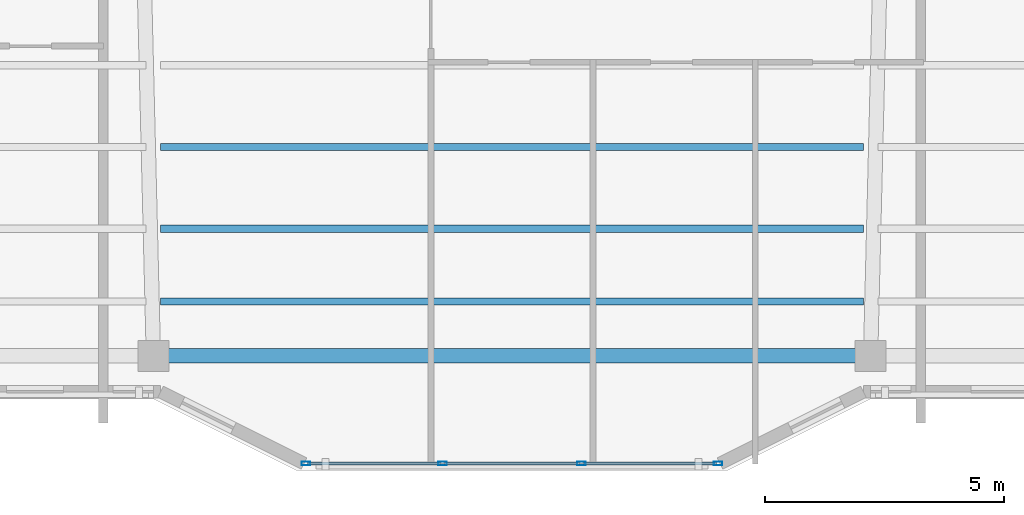
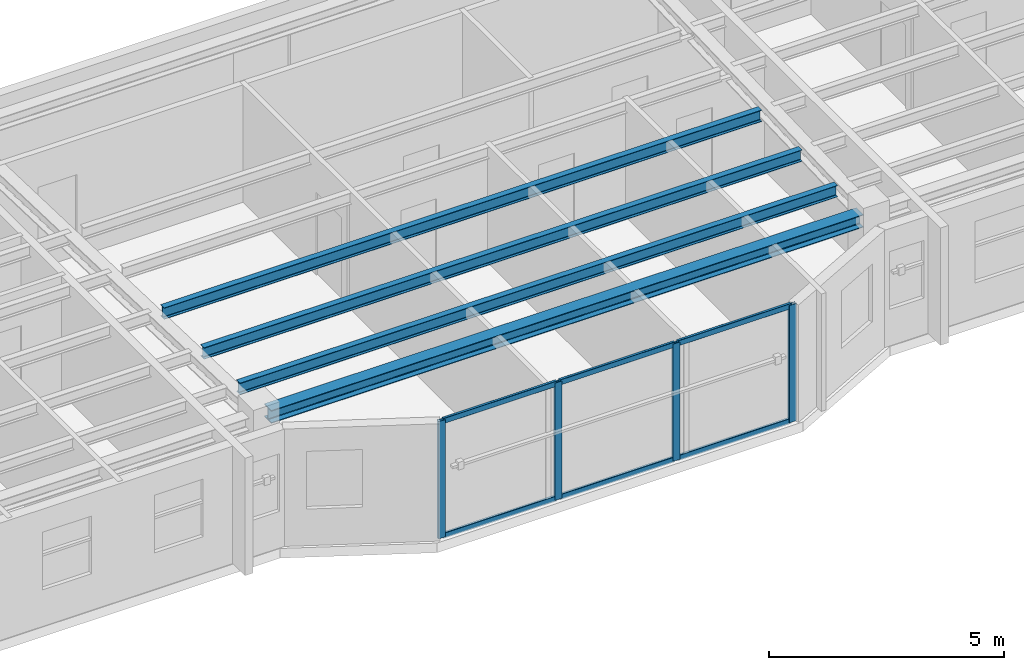
# One storey, part 2 of 15: 10 members, 4 beams, 1 element without a shape of its own.
"""IFC4 building model written with IfcOpenShell, lengths in metres."""

from ifc_helpers import new_model, si_unit, direction, frame, origin, origin_2d, place, context, subcontext, project, spatial, hollow_rectangle, i_section, extrude, material, layer, layer_set, material_profile, profile_set, type_object, element, aggregate, save


model = new_model("IFC4")

# Units and contexts
model_context = context("Model", 3, precision=1e-05, world=origin(), true_north=direction((0.0, 1.0)))
body_context = subcontext(model_context, "Body", "Model", "MODEL_VIEW")
ifc_project = project(units=[si_unit("LENGTHUNIT", "METRE"), si_unit("AREAUNIT", "SQUARE_METRE"), si_unit("VOLUMEUNIT", "CUBIC_METRE"), si_unit("PLANEANGLEUNIT", "RADIAN"), si_unit("MASSUNIT", "GRAM", prefix="KILO")], contexts=[model_context])

# Site, building, storey
site_placement = place(None, origin())
site = spatial("IfcSite", under=ifc_project, at=site_placement, CompositionType="ELEMENT")
building_placement = place(site_placement, origin())
building = spatial("IfcBuilding", under=site, at=building_placement, Name="Tarnavaz Court Tower", CompositionType="ELEMENT")
storey_placement = place(building_placement, frame((0.0, 0.0, 268.300048828125)))
storey = spatial("IfcBuildingStorey", under=building, at=storey_placement, Name="L73", CompositionType="ELEMENT", Elevation=268.300048828125)

# Beams
ifc_material_1 = material(Name="Steel S355", Category="steel")
ifc_material_profile_1 = material_profile(ifc_material_1, i_section(OverallWidth=0.14990234375, OverallDepth=0.300048828125, WebThickness=0.007080078125, FlangeThickness=0.0107421875, FilletRadius=0.014892578125, at=origin_2d()), Name="IPE 300")
ifc_profile_set_1 = profile_set([ifc_material_profile_1], Name="Steel S355")
beam_type_1 = type_object("IfcBeamType", Name="BM-J-IPE300", PredefinedType="JOIST", material=ifc_profile_set_1)
for number, where, z_axis, x_axis, name in (
    (1, (-7.35009765625, -15.72998046875, 2.89990234375), (1.0, 0.0, 0.0), (0.0, 1.0, 0.0), "L73 Beam JS3-2"),
    (2, (-7.35009765625, -17.43994140625, 2.89990234375), (1.0, 0.0, 0.0), (0.0, 1.0, 0.0), "L73 Beam JS4-2"),
    (3, (-7.35009765625, -18.9599609375, 2.89990234375), (1.0, 0.0, 0.0), (0.0, 1.0, 0.0), "L73 Beam JS5-2"),
):
    element("IfcBeam", number, at=place(storey_placement, frame(where, z_axis=z_axis, x_axis=x_axis)), inside=storey, type_object=beam_type_1, Name=name, PredefinedType="JOIST", context=body_context, shape_type="SweptSolid", body=[
        extrude(i_section(OverallWidth=0.14990234375, OverallDepth=0.300048828125, WebThickness=0.007080078125, FlangeThickness=0.0107421875, FilletRadius=0.014892578125, at=origin_2d()), origin(), (0.0, 0.0, 1.0), 14.7001953125),
    ])
ifc_material_profile_2 = material_profile(ifc_material_1, i_section(OverallWidth=0.300048828125, OverallDepth=0.330078125, WebThickness=0.009521484375, FlangeThickness=0.0166015625, FilletRadius=0.027099609375, at=origin_2d()), Name="HEA 340")
ifc_profile_set_2 = profile_set([ifc_material_profile_2], Name="Steel S355")
beam_type_2 = type_object("IfcBeamType", Name="BM-SP-HEA340", PredefinedType="BEAM", material=ifc_profile_set_2)
beam_placement = place(storey_placement, frame((-7.280029296875, -20.10009765625, 2.885009765625), z_axis=(1.0, 0.0, 0.0), x_axis=(0.0, 1.0, 0.0)))
element("IfcBeam", 4, at=beam_placement, inside=storey, type_object=beam_type_2, Name="L73 Beam PR-PS-2-PS-3", PredefinedType="BEAM", context=body_context, shape_type="SweptSolid", body=[
    extrude(i_section(OverallWidth=0.300048828125, OverallDepth=0.330078125, WebThickness=0.009521484375, FlangeThickness=0.0166015625, FilletRadius=0.027099609375, at=origin_2d()), origin(), (0.0, 0.0, 1.0), 14.56005859375),
])

# Curtain wall, members
ifc_material_2 = material(Name="Anodised Aluminium 6063-T6 and Solar Low-E Glazing", Category="aluminium")
ifc_layer = layer(ifc_material_2, 0.159912109375)
ifc_layer_set = layer_set([ifc_layer], Name="Anodised Aluminium 6063-T6 and Solar Low-E Glazing")
curtain_wall_type = type_object("IfcCurtainWallType", Name="CW-SYS-03", PredefinedType="NOTDEFINED", material=ifc_layer_set)
curtain_wall_placement = place(storey_placement, origin())
curtain_wall = element("IfcCurtainWall", 5, at=curtain_wall_placement, inside=storey, type_object=curtain_wall_type, Name="L73 Iwan Prow Curtain Wall 17", PredefinedType="NOTDEFINED")
ifc_material_3 = material(Name="Anodised Aluminium 6063-T6", Category="aluminium")
ifc_material_profile_3 = material_profile(ifc_material_3, hollow_rectangle(XDim=0.074951171875, YDim=0.179931640625, WallThickness=0.0048828125, InnerFilletRadius=0.0048828125, OuterFilletRadius=0.010009765625, at=origin_2d()), Name="ALU RHS 180X75X5")
ifc_profile_set_3 = profile_set([ifc_material_profile_3], Name="Anodised Aluminium 6063-T6")
member_type_1 = type_object("IfcMemberType", Name="CW-MUL-180", PredefinedType="MULLION", material=ifc_profile_set_3)
member_1_placement = place(storey_placement, frame((4.3125, -22.35009765625, 0.0), z_axis=(0.0, 0.0, 1.0), x_axis=(0.0, -1.0, 0.0)))
member_1 = element("IfcMember", 6, at=member_1_placement, type_object=member_type_1, Name="CW mullion 1", PredefinedType="MULLION", context=body_context, shape_type="SweptSolid", body=[
    extrude(hollow_rectangle(XDim=0.074951171875, YDim=0.179931640625, WallThickness=0.0048828125, InnerFilletRadius=0.0048828125, OuterFilletRadius=0.010009765625, at=origin_2d()), origin(), (0.0, 0.0, 1.0), 3.050048828125),
])
member_2_placement = place(storey_placement, frame((1.449951171875, -22.35009765625, 0.0), z_axis=(0.0, 0.0, 1.0), x_axis=(0.0, -1.0, 0.0)))
member_2 = element("IfcMember", 7, at=member_2_placement, type_object=member_type_1, Name="CW mullion 2", PredefinedType="MULLION", context=body_context, shape_type="SweptSolid", body=[
    extrude(hollow_rectangle(XDim=0.074951171875, YDim=0.179931640625, WallThickness=0.0048828125, InnerFilletRadius=0.0048828125, OuterFilletRadius=0.010009765625, at=origin_2d()), origin(), (0.0, 0.0, 1.0), 3.050048828125),
])
member_3_placement = place(storey_placement, frame((-1.449951171875, -22.35009765625, 0.0), z_axis=(0.0, 0.0, 1.0), x_axis=(0.0, -1.0, 0.0)))
member_3 = element("IfcMember", 8, at=member_3_placement, type_object=member_type_1, Name="CW mullion 3", PredefinedType="MULLION", context=body_context, shape_type="SweptSolid", body=[
    extrude(hollow_rectangle(XDim=0.074951171875, YDim=0.179931640625, WallThickness=0.0048828125, InnerFilletRadius=0.0048828125, OuterFilletRadius=0.010009765625, at=origin_2d()), origin(), (0.0, 0.0, 1.0), 3.050048828125),
])
member_4_placement = place(storey_placement, frame((-4.3125, -22.35009765625, 0.0), z_axis=(0.0, 0.0, 1.0), x_axis=(0.0, -1.0, 0.0)))
member_4 = element("IfcMember", 9, at=member_4_placement, type_object=member_type_1, Name="CW mullion 4", PredefinedType="MULLION", context=body_context, shape_type="SweptSolid", body=[
    extrude(hollow_rectangle(XDim=0.074951171875, YDim=0.179931640625, WallThickness=0.0048828125, InnerFilletRadius=0.0048828125, OuterFilletRadius=0.010009765625, at=origin_2d()), origin(), (0.0, 0.0, 1.0), 3.050048828125),
])
ifc_material_profile_4 = material_profile(ifc_material_3, hollow_rectangle(XDim=0.06494140625, YDim=0.139892578125, WallThickness=0.00390625, InnerFilletRadius=0.00390625, OuterFilletRadius=0.008056640625, at=origin_2d()), Name="ALU RHS 140X65X4")
ifc_profile_set_4 = profile_set([ifc_material_profile_4], Name="Anodised Aluminium 6063-T6")
member_type_2 = type_object("IfcMemberType", Name="CW-TRN-140", PredefinedType="USERDEFINED", material=ifc_profile_set_4)
member_5_placement = place(storey_placement, frame((4.27490234375, -22.35009765625, 0.032470703125), z_axis=(-1.0, 0.0, 0.0), x_axis=(0.0, -1.0, 0.0)))
member_5 = element("IfcMember", 10, at=member_5_placement, type_object=member_type_2, Name="CW transom 1.1", ObjectType="TRANSOM", PredefinedType="USERDEFINED", context=body_context, shape_type="SweptSolid", body=[
    extrude(hollow_rectangle(XDim=0.06494140625, YDim=0.139892578125, WallThickness=0.00390625, InnerFilletRadius=0.00390625, OuterFilletRadius=0.008056640625, at=origin_2d()), origin(), (0.0, 0.0, 1.0), 2.787353515625),
])
member_6_placement = place(storey_placement, frame((4.27490234375, -22.35009765625, 3.017333984375), z_axis=(-1.0, 0.0, 0.0), x_axis=(0.0, -1.0, 0.0)))
member_6 = element("IfcMember", 11, at=member_6_placement, type_object=member_type_2, Name="CW transom 1.2", ObjectType="TRANSOM", PredefinedType="USERDEFINED", context=body_context, shape_type="SweptSolid", body=[
    extrude(hollow_rectangle(XDim=0.06494140625, YDim=0.139892578125, WallThickness=0.00390625, InnerFilletRadius=0.00390625, OuterFilletRadius=0.008056640625, at=origin_2d()), origin(), (0.0, 0.0, 1.0), 2.787353515625),
])
member_7_placement = place(storey_placement, frame((1.41259765625, -22.35009765625, 0.032470703125), z_axis=(-1.0, 0.0, 0.0), x_axis=(0.0, -1.0, 0.0)))
member_7 = element("IfcMember", 12, at=member_7_placement, type_object=member_type_2, Name="CW transom 2.1", ObjectType="TRANSOM", PredefinedType="USERDEFINED", context=body_context, shape_type="SweptSolid", body=[
    extrude(hollow_rectangle(XDim=0.06494140625, YDim=0.139892578125, WallThickness=0.00390625, InnerFilletRadius=0.00390625, OuterFilletRadius=0.008056640625, at=origin_2d()), origin(), (0.0, 0.0, 1.0), 2.8251953125),
])
member_8_placement = place(storey_placement, frame((1.41259765625, -22.35009765625, 3.017333984375), z_axis=(-1.0, 0.0, 0.0), x_axis=(0.0, -1.0, 0.0)))
member_8 = element("IfcMember", 13, at=member_8_placement, type_object=member_type_2, Name="CW transom 2.2", ObjectType="TRANSOM", PredefinedType="USERDEFINED", context=body_context, shape_type="SweptSolid", body=[
    extrude(hollow_rectangle(XDim=0.06494140625, YDim=0.139892578125, WallThickness=0.00390625, InnerFilletRadius=0.00390625, OuterFilletRadius=0.008056640625, at=origin_2d()), origin(), (0.0, 0.0, 1.0), 2.8251953125),
])
member_9_placement = place(storey_placement, frame((-1.487548828125, -22.35009765625, 0.032470703125), z_axis=(-1.0, 0.0, 0.0), x_axis=(0.0, -1.0, 0.0)))
member_9 = element("IfcMember", 14, at=member_9_placement, type_object=member_type_2, Name="CW transom 3.1", ObjectType="TRANSOM", PredefinedType="USERDEFINED", context=body_context, shape_type="SweptSolid", body=[
    extrude(hollow_rectangle(XDim=0.06494140625, YDim=0.139892578125, WallThickness=0.00390625, InnerFilletRadius=0.00390625, OuterFilletRadius=0.008056640625, at=origin_2d()), origin(), (0.0, 0.0, 1.0), 2.787353515625),
])
member_10_placement = place(storey_placement, frame((-1.487548828125, -22.35009765625, 3.017333984375), z_axis=(-1.0, 0.0, 0.0), x_axis=(0.0, -1.0, 0.0)))
member_10 = element("IfcMember", 15, at=member_10_placement, type_object=member_type_2, Name="CW transom 3.2", ObjectType="TRANSOM", PredefinedType="USERDEFINED", context=body_context, shape_type="SweptSolid", body=[
    extrude(hollow_rectangle(XDim=0.06494140625, YDim=0.139892578125, WallThickness=0.00390625, InnerFilletRadius=0.00390625, OuterFilletRadius=0.008056640625, at=origin_2d()), origin(), (0.0, 0.0, 1.0), 2.787353515625),
])
aggregate(curtain_wall, [member_1, member_2, member_3, member_4, member_5, member_6, member_7, member_8, member_9, member_10])

save(model, "model.ifc")
